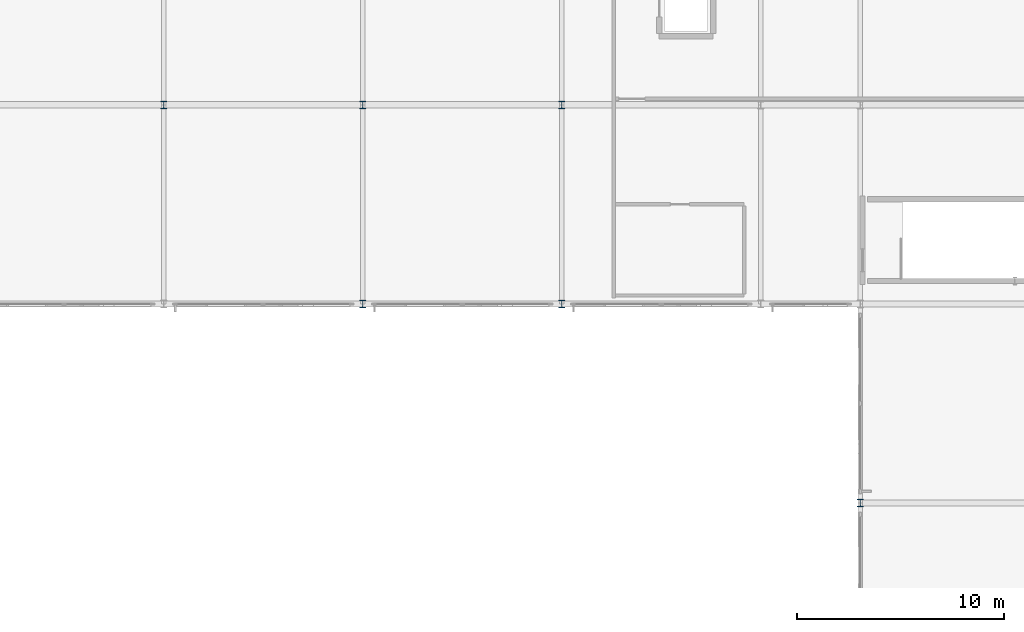
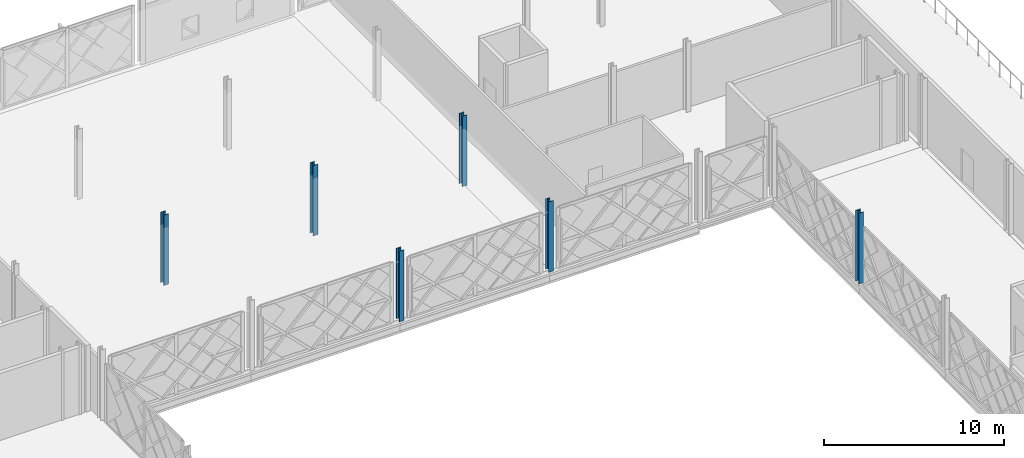
# One storey, part 10 of 77: 6 columns.
"""IFC4 building model written with IfcOpenShell, lengths in metres."""

from ifc_helpers import new_model, si_unit, direction, frame, origin, origin_2d, place, context, subcontext, project, spatial, i_section, extrude, material, material_profile, profile_set, type_object, element, save


model = new_model("IFC4")

# Units and contexts
model_context = context("Model", 3, precision=1e-05, world=origin(), true_north=direction((0.0, 1.0)))
body_context = subcontext(model_context, "Body", "Model", "MODEL_VIEW")
ifc_project = project(units=[si_unit("LENGTHUNIT", "METRE"), si_unit("AREAUNIT", "SQUARE_METRE"), si_unit("VOLUMEUNIT", "CUBIC_METRE"), si_unit("PLANEANGLEUNIT", "RADIAN"), si_unit("MASSUNIT", "GRAM", prefix="KILO")], contexts=[model_context])

# Site, building, storey
site_placement = place(None, origin())
site = spatial("IfcSite", under=ifc_project, at=site_placement, CompositionType="ELEMENT")
building_placement = place(site_placement, origin())
building = spatial("IfcBuilding", under=site, at=building_placement, Name="Zevrakil Square Congress Hotel", CompositionType="ELEMENT")
storey_placement = place(building_placement, frame((0.0, 0.0, 9.89990234375)))
storey = spatial("IfcBuildingStorey", under=building, at=storey_placement, Name="L03", CompositionType="ELEMENT", Elevation=9.89990234375)

# Columns
ifc_material = material(Name="Steel S355", Category="steel")
ifc_material_profile = material_profile(ifc_material, i_section(OverallWidth=0.300048828125, OverallDepth=0.360107421875, WebThickness=0.012451171875, FlangeThickness=0.0224609375, FilletRadius=0.027099609375, at=origin_2d()), Name="HEB 360")
ifc_profile_set = profile_set([ifc_material_profile], Name="Steel S355")
column_type = type_object("IfcColumnType", Name="COL-HEB360", PredefinedType="COLUMN", material=ifc_profile_set)
for number, where, z_axis, x_axis, name in (
    (1, (74.39990234375, 93.60009765625, 0.0), (0.0, 0.0, 1.0), (1.0, 0.0, 0.0), "L03 column C-121"),
    (2, (84.0, 84.0, 0.0), (0.0, 0.0, 1.0), (1.0, 0.0, 0.0), "L03 column C-132"),
    (3, (84.0, 93.60009765625, 0.0), (0.0, 0.0, 1.0), (1.0, 0.0, 0.0), "L03 column C-133"),
    (4, (93.60009765625, 84.0, 0.0), (0.0, 0.0, 1.0), (1.0, 0.0, 0.0), "L03 column C-144"),
    (5, (93.60009765625, 93.60009765625, 0.0), (0.0, 0.0, 1.0), (1.0, 0.0, 0.0), "L03 column C-145"),
    (6, (108.0, 74.39990234375, 0.0), (0.0, 0.0, 1.0), (1.0, 0.0, 0.0), "L03 column C-171"),
):
    element("IfcColumn", number, at=place(storey_placement, frame(where, z_axis=z_axis, x_axis=x_axis)), inside=storey, type_object=column_type, Name=name, PredefinedType="COLUMN", context=body_context, shape_type="SweptSolid", body=[
        extrude(i_section(OverallWidth=0.300048828125, OverallDepth=0.360107421875, WebThickness=0.012451171875, FlangeThickness=0.0224609375, FilletRadius=0.027099609375, at=origin_2d()), origin(), (0.0, 0.0, 1.0), 4.800048828125),
    ])

save(model, "model.ifc")
